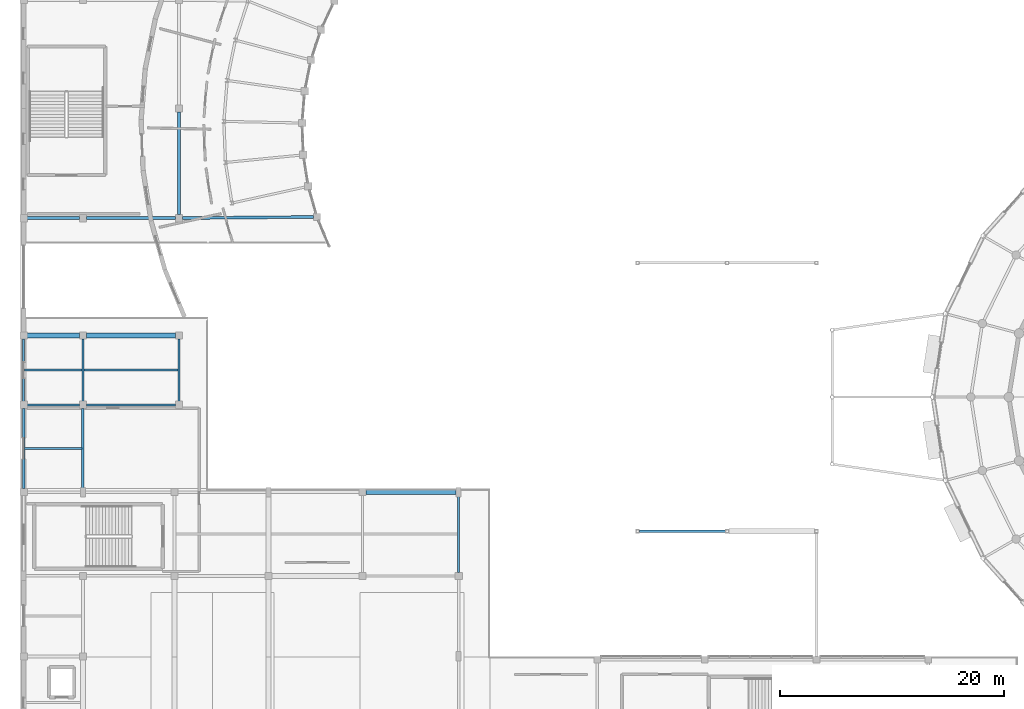
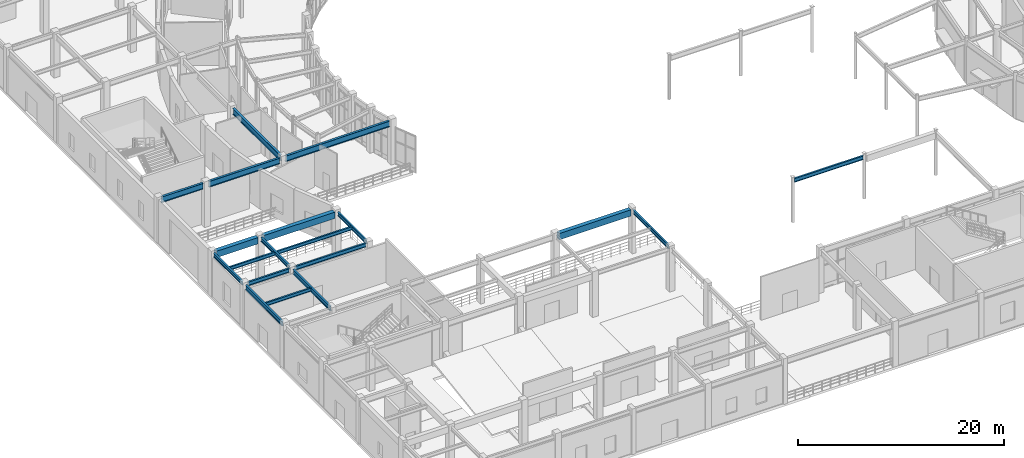
# One storey, part 20 of 93: 19 beams.
"""IFC4 building model written with IfcOpenShell, lengths in metres."""

from ifc_helpers import new_model, si_unit, direction, frame, origin, origin_2d, place, context, subcontext, project, spatial, rectangle, i_section, extrude, material, material_profile, profile_set, type_object, element, save


model = new_model("IFC4")

# Units and contexts
model_context = context("Model", 3, precision=1e-05, world=origin(), true_north=direction((0.0, 1.0)))
body_context = subcontext(model_context, "Body", "Model", "MODEL_VIEW")
ifc_project = project(units=[si_unit("LENGTHUNIT", "METRE"), si_unit("AREAUNIT", "SQUARE_METRE"), si_unit("VOLUMEUNIT", "CUBIC_METRE"), si_unit("PLANEANGLEUNIT", "RADIAN"), si_unit("MASSUNIT", "GRAM", prefix="KILO")], contexts=[model_context])

# Site, building, storey
site_placement = place(None, origin())
site = spatial("IfcSite", under=ifc_project, at=site_placement, CompositionType="ELEMENT")
building_placement = place(site_placement, origin())
building = spatial("IfcBuilding", under=site, at=building_placement, Name="Cinderbank Siding Concert Hall", CompositionType="ELEMENT")
storey_placement = place(building_placement, origin())
storey = spatial("IfcBuildingStorey", under=building, at=storey_placement, Name="L01", CompositionType="ELEMENT", Elevation=0.0)

# Beams
ifc_material_1 = material(Name="Reinforced concrete AS 3600 N50 (50 MPa)", Category="concrete")
ifc_material_profile_1 = material_profile(ifc_material_1, rectangle(XDim=0.449951171875, YDim=0.75, at=origin_2d()), Name="RC-BM-450x750", Category="LoadBearing")
ifc_profile_set_1 = profile_set([ifc_material_profile_1], Name="Reinforced concrete AS 3600 N50 (50 MPa)")
beam_type_1 = type_object("IfcBeamType", Name="BM-RC750 RC-BM-450x750", PredefinedType="BEAM", material=ifc_profile_set_1)
beam_1_placement = place(storey_placement, frame((37.717041015625, 35.5, 4.7470703125), z_axis=(1.0, 0.0, 0.0), x_axis=(0.0, 1.0, 0.0)))
element("IfcBeam", 1, at=beam_1_placement, inside=storey, type_object=beam_type_1, Name="L01 Beam BM-RC750 #1308", PredefinedType="BEAM", context=body_context, shape_type="SweptSolid", body=[
    extrude(rectangle(XDim=0.449951171875, YDim=0.75, at=origin_2d()), origin(), (0.0, 0.0, 1.0), 8.06591796875),
])
beam_2_placement = place(storey_placement, frame((7.4169921875, 49.5, 4.76708984375), z_axis=(1.0, 0.0, 0.0), x_axis=(0.0, 1.0, 0.0)))
element("IfcBeam", 2, at=beam_2_placement, inside=storey, type_object=beam_type_1, Name="L01 Beam BM-RC750 #1423", PredefinedType="BEAM", context=body_context, shape_type="SweptSolid", body=[
    extrude(rectangle(XDim=0.449951171875, YDim=0.75, at=origin_2d()), origin(), (0.0, 0.0, 1.0), 4.666015625),
])
beam_3_placement = place(storey_placement, frame((12.717041015625, 49.5, 4.76708984375), z_axis=(1.0, 0.0, 0.0), x_axis=(0.0, 1.0, 0.0)))
element("IfcBeam", 3, at=beam_3_placement, inside=storey, type_object=beam_type_1, Name="L01 Beam BM-RC750 #1431", PredefinedType="BEAM", context=body_context, shape_type="SweptSolid", body=[
    extrude(rectangle(XDim=0.449951171875, YDim=0.75, at=origin_2d()), origin(), (0.0, 0.0, 1.0), 7.966064453125),
])
ifc_material_2 = material(Name="Structural steel AS/NZS 3679.1 Grade 350 (340 MPa)", Category="steel")
ifc_material_profile_2 = material_profile(ifc_material_2, i_section(OverallWidth=0.18994140625, OverallDepth=0.45751953125, WebThickness=0.009033203125, FlangeThickness=0.014404296875, at=origin_2d()), Name="460UB74.6", Category="LoadBearing")
ifc_profile_set_2 = profile_set([ifc_material_profile_2], Name="Structural steel AS/NZS 3679.1 Grade 350 (340 MPa)")
beam_type_2 = type_object("IfcBeamType", Name="BM-UB460 460UB74.6", PredefinedType="BEAM", material=ifc_profile_set_2)
beam_4_placement = place(storey_placement, frame((46.0, 28.31689453125, 4.893310546875), z_axis=(0.0, 1.0, 0.0), x_axis=(-1.0, 0.0, 0.0)))
element("IfcBeam", 4, at=beam_4_placement, inside=storey, type_object=beam_type_2, Name="L01 Beam BM-UB460 #1313", PredefinedType="BEAM", context=body_context, shape_type="SweptSolid", body=[
    extrude(i_section(OverallWidth=0.18994140625, OverallDepth=0.45751953125, WebThickness=0.009033203125, FlangeThickness=0.014404296875, at=origin_2d()), origin(), (0.0, 0.0, 1.0), 6.966064453125),
])
beam_5_placement = place(storey_placement, frame((7.4169921875, 43.300048828125, 4.913330078125), z_axis=(1.0, 0.0, 0.0), x_axis=(0.0, 1.0, 0.0)))
element("IfcBeam", 5, at=beam_5_placement, inside=storey, type_object=beam_type_2, Name="L01 Beam BM-UB460 #1421", PredefinedType="BEAM", context=body_context, shape_type="SweptSolid", body=[
    extrude(i_section(OverallWidth=0.18994140625, OverallDepth=0.45751953125, WebThickness=0.009033203125, FlangeThickness=0.014404296875, at=origin_2d()), origin(), (0.0, 0.0, 1.0), 4.666015625),
])
beam_6_placement = place(storey_placement, frame((7.10009765625, 43.616943359375, 4.913330078125), z_axis=(0.0, 1.0, 0.0), x_axis=(-1.0, 0.0, 0.0)))
element("IfcBeam", 6, at=beam_6_placement, inside=storey, type_object=beam_type_2, Name="L01 Beam BM-UB460 #1422", PredefinedType="BEAM", context=body_context, shape_type="SweptSolid", body=[
    extrude(i_section(OverallWidth=0.18994140625, OverallDepth=0.45751953125, WebThickness=0.009033203125, FlangeThickness=0.014404296875, at=origin_2d()), origin(), (0.0, 0.0, 1.0), 5.566162109375),
])
beam_7_placement = place(storey_placement, frame((12.717041015625, 43.300048828125, 4.913330078125), z_axis=(1.0, 0.0, 0.0), x_axis=(0.0, 1.0, 0.0)))
element("IfcBeam", 7, at=beam_7_placement, inside=storey, type_object=beam_type_2, Name="L01 Beam BM-UB460 #1429", PredefinedType="BEAM", context=body_context, shape_type="SweptSolid", body=[
    extrude(i_section(OverallWidth=0.18994140625, OverallDepth=0.45751953125, WebThickness=0.009033203125, FlangeThickness=0.014404296875, at=origin_2d()), origin(), (0.0, 0.0, 1.0), 7.966064453125),
])
for number, where, z_axis, x_axis, name in (
    (8, (12.39990234375, 43.616943359375, 4.913330078125), (0.0, 1.0, 0.0), (-1.0, 0.0, 0.0), "L01 Beam BM-UB460 #1430"),
    (9, (21.0, 43.616943359375, 4.913330078125), (0.0, 1.0, 0.0), (-1.0, 0.0, 0.0), "L01 Beam BM-UB460 #1436"),
):
    element("IfcBeam", number, at=place(storey_placement, frame(where, z_axis=z_axis, x_axis=x_axis)), inside=storey, type_object=beam_type_2, Name=name, PredefinedType="BEAM", context=body_context, shape_type="SweptSolid", body=[
        extrude(i_section(OverallWidth=0.18994140625, OverallDepth=0.45751953125, WebThickness=0.009033203125, FlangeThickness=0.014404296875, at=origin_2d()), origin(), (0.0, 0.0, 1.0), 5.566162109375),
    ])
beam_8_placement = place(storey_placement, frame((62.154052734375, 32.0, 4.893310546875), z_axis=(1.0, 0.0, 0.0), x_axis=(0.0, 1.0, 0.0)))
element("IfcBeam", 10, at=beam_8_placement, inside=storey, type_object=beam_type_2, Name="L01 Beam BM-UB460 #1442", PredefinedType="BEAM", context=body_context, shape_type="SweptSolid", body=[
    extrude(i_section(OverallWidth=0.18994140625, OverallDepth=0.45751953125, WebThickness=0.009033203125, FlangeThickness=0.014404296875, at=origin_2d()), origin(), (0.0, 0.0, 1.0), 7.692138671875),
])
ifc_material_profile_3 = material_profile(ifc_material_2, i_section(OverallWidth=0.208984375, OverallDepth=0.5283203125, WebThickness=0.009521484375, FlangeThickness=0.01318359375, at=origin_2d()), Name="530UB82.0", Category="LoadBearing")
ifc_profile_set_3 = profile_set([ifc_material_profile_3], Name="Structural steel AS/NZS 3679.1 Grade 350 (340 MPa)")
beam_type_3 = type_object("IfcBeamType", Name="BM-UB530 530UB82.0", PredefinedType="BEAM", material=ifc_profile_set_3)
beam_9_placement = place(storey_placement, frame((7.10009765625, 35.81689453125, 4.85791015625), z_axis=(0.0, 1.0, 0.0), x_axis=(-1.0, 0.0, 0.0)))
element("IfcBeam", 11, at=beam_9_placement, inside=storey, type_object=beam_type_3, Name="L01 Beam BM-UB530 #1284", PredefinedType="BEAM", context=body_context, shape_type="SweptSolid", body=[
    extrude(i_section(OverallWidth=0.208984375, OverallDepth=0.5283203125, WebThickness=0.009521484375, FlangeThickness=0.01318359375, at=origin_2d()), origin(), (0.0, 0.0, 1.0), 7.166015625),
])
beam_10_placement = place(storey_placement, frame((12.39990234375, 35.717041015625, 4.85791015625), z_axis=(0.0, 1.0, 0.0), x_axis=(-1.0, 0.0, 0.0)))
element("IfcBeam", 12, at=beam_10_placement, inside=storey, type_object=beam_type_3, Name="L01 Beam BM-UB530 #1292", PredefinedType="BEAM", context=body_context, shape_type="SweptSolid", body=[
    extrude(i_section(OverallWidth=0.208984375, OverallDepth=0.5283203125, WebThickness=0.009521484375, FlangeThickness=0.01318359375, at=origin_2d()), origin(), (0.0, 0.0, 1.0), 7.265869140625),
])
ifc_material_3 = material(Name="Structural steel welded plate section AS/NZS 3679.2 / AS/NZS 3678 Grade 350 (340 MPa)", Category="steel")
ifc_material_profile_4 = material_profile(ifc_material_3, i_section(OverallWidth=0.25, OverallDepth=0.699951171875, WebThickness=0.010009765625, FlangeThickness=0.01611328125, at=origin_2d()), Name="700WB130", Category="LoadBearing")
ifc_profile_set_4 = profile_set([ifc_material_profile_4], Name="Structural steel welded plate section AS/NZS 3679.2 / AS/NZS 3678 Grade 350 (340 MPa)")
beam_type_4 = type_object("IfcBeamType", Name="BM-WB700 700WB130", PredefinedType="BEAM", material=ifc_profile_set_4)
beam_11_placement = place(storey_placement, frame((7.4169921875, 60.0, 4.7919921875), z_axis=(1.0, 0.0, 0.0), x_axis=(0.0, 1.0, 0.0)))
element("IfcBeam", 13, at=beam_11_placement, inside=storey, type_object=beam_type_4, Name="L01 Beam BM-WB700 #1424", PredefinedType="BEAM", context=body_context, shape_type="SweptSolid", body=[
    extrude(i_section(OverallWidth=0.25, OverallDepth=0.699951171875, WebThickness=0.010009765625, FlangeThickness=0.01611328125, at=origin_2d()), origin(), (0.0, 0.0, 1.0), 4.666015625),
])
beam_12_placement = place(storey_placement, frame((12.717041015625, 60.0, 4.77197265625), z_axis=(1.0, 0.0, 0.0), x_axis=(0.0, 1.0, 0.0)))
element("IfcBeam", 14, at=beam_12_placement, inside=storey, type_object=beam_type_4, Name="L01 Beam BM-WB700 #1432", PredefinedType="BEAM", context=body_context, shape_type="SweptSolid", body=[
    extrude(i_section(OverallWidth=0.25, OverallDepth=0.699951171875, WebThickness=0.010009765625, FlangeThickness=0.01611328125, at=origin_2d()), origin(), (0.0, 0.0, 1.0), 7.966064453125),
])
beam_13_placement = place(storey_placement, frame((21.31689453125, 60.002685546875, 4.77197265625), z_axis=(0.999962333652, 0.008679359264, 0.0), x_axis=(-0.008679359264, 0.999962333652, 0.0)))
element("IfcBeam", 15, at=beam_13_placement, inside=storey, type_object=beam_type_4, Name="L01 Beam BM-WB700 #1437", PredefinedType="BEAM", context=body_context, shape_type="SweptSolid", body=[
    extrude(i_section(OverallWidth=0.25, OverallDepth=0.699951171875, WebThickness=0.010009765625, FlangeThickness=0.01611328125, at=origin_2d()), origin(), (0.0, 0.0, 1.0), 11.70166015625),
])
beam_14_placement = place(storey_placement, frame((21.0, 60.31689453125, 4.77197265625), z_axis=(0.0, 1.0, 0.0), x_axis=(-1.0, 0.0, 0.0)))
element("IfcBeam", 16, at=beam_14_placement, inside=storey, type_object=beam_type_4, Name="L01 Beam BM-WB700 #1438", PredefinedType="BEAM", context=body_context, shape_type="SweptSolid", body=[
    extrude(i_section(OverallWidth=0.25, OverallDepth=0.699951171875, WebThickness=0.010009765625, FlangeThickness=0.01611328125, at=origin_2d()), origin(), (0.0, 0.0, 1.0), 9.166015625),
])
ifc_material_profile_5 = material_profile(ifc_material_2, i_section(OverallWidth=0.177978515625, OverallDepth=0.402587890625, WebThickness=0.007568359375, FlangeThickness=0.010986328125, at=origin_2d()), Name="410UB53.7", Category="LoadBearing")
ifc_profile_set_5 = profile_set([ifc_material_profile_5], Name="Structural steel AS/NZS 3679.1 Grade 350 (340 MPa)")
beam_type_5 = type_object("IfcBeamType", Name="JS-UB410 410UB53.7", PredefinedType="JOIST", material=ifc_profile_set_5)
beam_15_placement = place(storey_placement, frame((7.196533203125, 39.39990234375, 4.940673828125), z_axis=(1.0, 0.0, 0.0), x_axis=(0.0, 1.0, 0.0)))
element("IfcBeam", 17, at=beam_15_placement, inside=storey, type_object=beam_type_5, Name="L01 Beam JS-UB410 #1449", PredefinedType="JOIST", context=body_context, shape_type="SweptSolid", body=[
    extrude(i_section(OverallWidth=0.177978515625, OverallDepth=0.402587890625, WebThickness=0.007568359375, FlangeThickness=0.010986328125, at=origin_2d()), origin(), (0.0, 0.0, 1.0), 5.10693359375),
])
beam_16_placement = place(storey_placement, frame((7.18701171875, 46.39990234375, 4.940673828125), z_axis=(1.0, 0.0, 0.0), x_axis=(0.0, 1.0, 0.0)))
element("IfcBeam", 18, at=beam_16_placement, inside=storey, type_object=beam_type_5, Name="L01 Beam JS-UB410 #1483", PredefinedType="JOIST", context=body_context, shape_type="SweptSolid", body=[
    extrude(i_section(OverallWidth=0.177978515625, OverallDepth=0.402587890625, WebThickness=0.007568359375, FlangeThickness=0.010986328125, at=origin_2d()), origin(), (0.0, 0.0, 1.0), 5.1259765625),
])
beam_17_placement = place(storey_placement, frame((12.487060546875, 46.39990234375, 4.940673828125), z_axis=(1.0, 0.0, 0.0), x_axis=(0.0, 1.0, 0.0)))
element("IfcBeam", 19, at=beam_17_placement, inside=storey, type_object=beam_type_5, Name="L01 Beam JS-UB410 #1485", PredefinedType="JOIST", context=body_context, shape_type="SweptSolid", body=[
    extrude(i_section(OverallWidth=0.177978515625, OverallDepth=0.402587890625, WebThickness=0.007568359375, FlangeThickness=0.010986328125, at=origin_2d()), origin(), (0.0, 0.0, 1.0), 8.426025390625),
])

save(model, "model.ifc")
